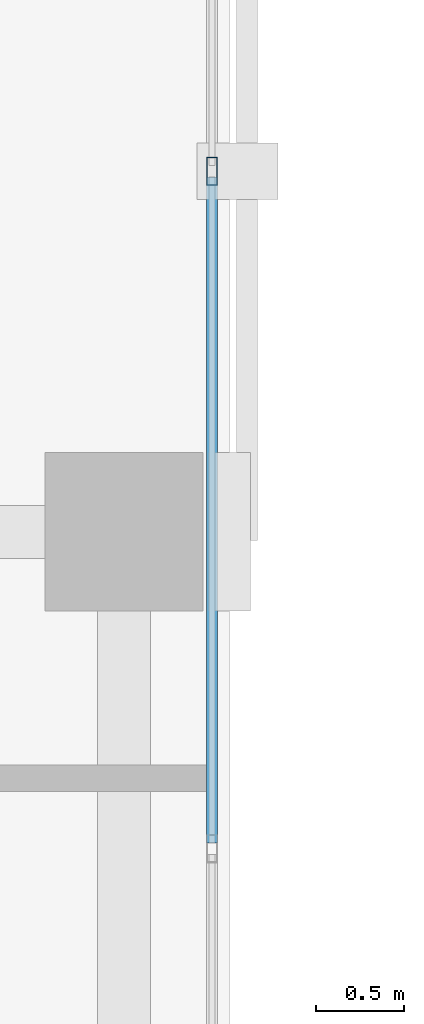
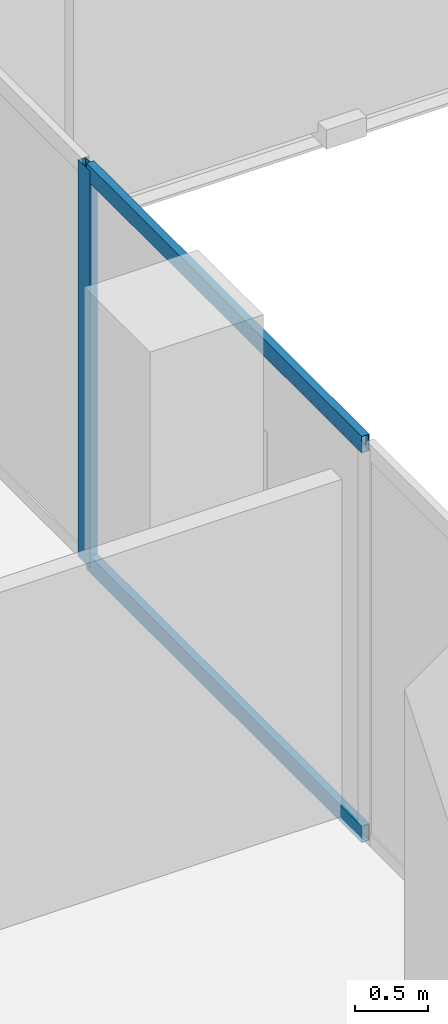
# One storey, part 8 of 35: 3 members, 1 element without a shape of its own.
"""IFC4 building model written with IfcOpenShell, lengths in metres."""

from ifc_helpers import new_model, si_unit, direction, frame, origin, origin_2d, place, context, subcontext, project, spatial, hollow_rectangle, extrude, material, layer, layer_set, material_profile, profile_set, type_object, element, aggregate, save


model = new_model("IFC4")

# Units and contexts
model_context = context("Model", 3, precision=1e-05, world=origin(), true_north=direction((0.0, 1.0)))
body_context = subcontext(model_context, "Body", "Model", "MODEL_VIEW")
ifc_project = project(units=[si_unit("LENGTHUNIT", "METRE"), si_unit("AREAUNIT", "SQUARE_METRE"), si_unit("VOLUMEUNIT", "CUBIC_METRE"), si_unit("PLANEANGLEUNIT", "RADIAN"), si_unit("MASSUNIT", "GRAM", prefix="KILO")], contexts=[model_context])

# Site, building, storey
site_placement = place(None, origin())
site = spatial("IfcSite", under=ifc_project, at=site_placement, CompositionType="ELEMENT")
building_placement = place(site_placement, origin())
building = spatial("IfcBuilding", under=site, at=building_placement, Name="Catumbela Crestline Tower", CompositionType="ELEMENT")
storey_placement = place(building_placement, frame((0.0, 0.0, 90.0)))
storey = spatial("IfcBuildingStorey", under=building, at=storey_placement, Name="L22", CompositionType="ELEMENT", Elevation=90.0)

# Curtain wall, members
ifc_material = material(Name="Aluminium alloy AW-6060-T66", Category="aluminium")
ifc_layer = layer(ifc_material, 0.18, Name="Aluminium alloy AW-6060-T66")
ifc_layer_set = layer_set([ifc_layer], Name="Aluminium alloy AW-6060-T66")
curtain_wall_type = type_object("IfcCurtainWallType", Name="CWU-Z2", PredefinedType="USERDEFINED", material=ifc_layer_set)
curtain_wall_placement = place(storey_placement, origin())
curtain_wall = element("IfcCurtainWall", 1, at=curtain_wall_placement, inside=storey, type_object=curtain_wall_type, Name="L22 Unitised Curtain Wall CW-L22-E2S1", ObjectType="UNITISED", PredefinedType="USERDEFINED")
ifc_material_profile_1 = material_profile(ifc_material, hollow_rectangle(XDim=0.06, YDim=0.16, WallThickness=0.004, at=origin_2d()), Name="ALU 160x60x4")
ifc_profile_set_1 = profile_set([ifc_material_profile_1], Name="Aluminium alloy AW-6060-T66")
member_type_1 = type_object("IfcMemberType", Name="MUL-160X60", PredefinedType="MULLION", material=ifc_profile_set_1)
member_1_placement = place(storey_placement, frame((23.9, 20.05, 0.0), z_axis=(0.0, 0.0, 1.0), x_axis=(-1.0, 0.0, 0.0)))
member_1 = element("IfcMember", 2, at=member_1_placement, type_object=member_type_1, Name="CWU-Z2 mullion 4", PredefinedType="MULLION", context=body_context, shape_type="SweptSolid", body=[
    extrude(hollow_rectangle(XDim=0.06, YDim=0.16, WallThickness=0.004, at=origin_2d()), origin(), (0.0, 0.0, 1.0), 3.33),
])
ifc_material_profile_2 = material_profile(ifc_material, hollow_rectangle(XDim=0.06, YDim=0.14, WallThickness=0.004, at=origin_2d()), Name="ALU 140x60x4")
ifc_profile_set_2 = profile_set([ifc_material_profile_2], Name="Aluminium alloy AW-6060-T66")
member_type_2 = type_object("IfcMemberType", Name="TRN-140X60", PredefinedType="USERDEFINED", material=ifc_profile_set_2)
member_2_placement = place(storey_placement, frame((23.9, 16.2325, 0.03), z_axis=(0.0, 1.0, 0.0), x_axis=(-1.0, 0.0, 0.0)))
member_2 = element("IfcMember", 3, at=member_2_placement, type_object=member_type_2, Name="CWU-Z2 transom 3.1", ObjectType="TRANSOM", PredefinedType="USERDEFINED", context=body_context, shape_type="SweptSolid", body=[
    extrude(hollow_rectangle(XDim=0.06, YDim=0.14, WallThickness=0.004, at=origin_2d()), origin(), (0.0, 0.0, 1.0), 3.785),
])
member_3_placement = place(storey_placement, frame((23.9, 16.2325, 3.3), z_axis=(0.0, 1.0, 0.0), x_axis=(-1.0, 0.0, 0.0)))
member_3 = element("IfcMember", 4, at=member_3_placement, type_object=member_type_2, Name="CWU-Z2 transom 3.2", ObjectType="TRANSOM", PredefinedType="USERDEFINED", context=body_context, shape_type="SweptSolid", body=[
    extrude(hollow_rectangle(XDim=0.06, YDim=0.14, WallThickness=0.004, at=origin_2d()), origin(), (0.0, 0.0, 1.0), 3.785),
])
aggregate(curtain_wall, [member_1, member_2, member_3])

save(model, "model.ifc")
